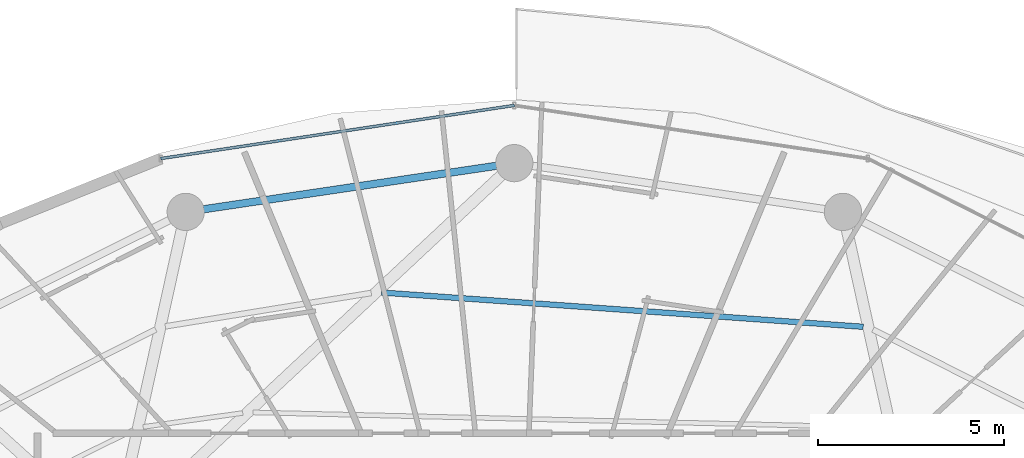
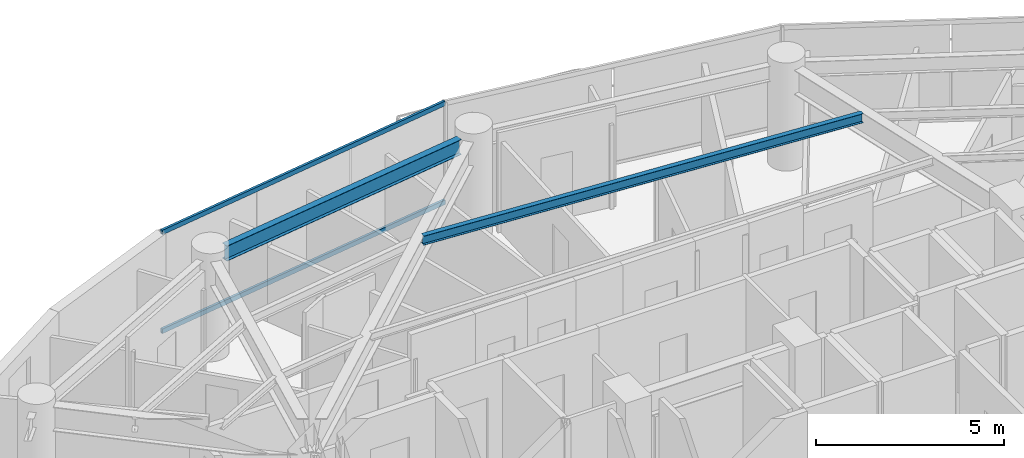
# One storey, part 16 of 28: 2 beams, 2 members, 1 element without a shape of its own.
"""IFC4 building model written with IfcOpenShell, lengths in metres."""

from ifc_helpers import new_model, si_unit, direction, frame, origin, origin_2d, place, context, subcontext, project, spatial, hollow_rectangle, i_section, extrude, material, material_profile, profile_set, type_object, element, aggregate, save


model = new_model("IFC4")

# Units and contexts
model_context = context("Model", 3, precision=1e-05, world=origin(), true_north=direction((0.0, 1.0)))
body_context = subcontext(model_context, "Body", "Model", "MODEL_VIEW")
ifc_project = project(units=[si_unit("LENGTHUNIT", "METRE"), si_unit("AREAUNIT", "SQUARE_METRE"), si_unit("VOLUMEUNIT", "CUBIC_METRE"), si_unit("PLANEANGLEUNIT", "RADIAN"), si_unit("MASSUNIT", "GRAM", prefix="KILO")], contexts=[model_context])

# Site, building, storey
site_placement = place(None, origin())
site = spatial("IfcSite", under=ifc_project, at=site_placement, CompositionType="ELEMENT")
building_placement = place(site_placement, origin())
building = spatial("IfcBuilding", under=site, at=building_placement, Name="Vorneva Point Tower", CompositionType="ELEMENT")
storey_placement = place(building_placement, frame((0.0, 0.0, 146.60009765625)))
storey = spatial("IfcBuildingStorey", under=building, at=storey_placement, Name="L39", CompositionType="ELEMENT", Elevation=146.60009765625)

# Beams
ifc_material_1 = material(Name="Steel S355", Category="steel")
ifc_material_profile_1 = material_profile(ifc_material_1, i_section(OverallWidth=0.14892578125, OverallDepth=0.298095703125, WebThickness=0.005615234375, FlangeThickness=0.008056640625, at=origin_2d()), Name="30B1")
ifc_profile_set_1 = profile_set([ifc_material_profile_1], Name="Steel S355")
beam_type_1 = type_object("IfcBeamType", Name="BM-JST-30B1", PredefinedType="JOIST", material=ifc_profile_set_1)
beam_1_placement = place(storey_placement, frame((47.3662109375, 38.806396484375, 3.0908203125), z_axis=(-0.997475780463, 0.071007516435, 0.0), x_axis=(-0.071007516435, -0.997475780463, 0.0)))
element("IfcBeam", 1, at=beam_1_placement, inside=storey, type_object=beam_type_1, Name="L39 Secondary Floor Beam 1.04", PredefinedType="JOIST", context=body_context, shape_type="SweptSolid", body=[
    extrude(i_section(OverallWidth=0.14892578125, OverallDepth=0.298095703125, WebThickness=0.005615234375, FlangeThickness=0.008056640625, at=origin_2d()), origin(), (0.0, 0.0, 1.0), 12.965576171875),
])
ifc_material_profile_2 = material_profile(ifc_material_1, i_section(OverallWidth=0.199951171875, OverallDepth=0.491943359375, WebThickness=0.0087890625, FlangeThickness=0.011962890625, at=origin_2d()), Name="50B1")
ifc_profile_set_2 = profile_set([ifc_material_profile_2], Name="Steel S355")
beam_type_2 = type_object("IfcBeamType", Name="BM-SPN-50B1", PredefinedType="SPANDREL", material=ifc_profile_set_2)
beam_2_placement = place(storey_placement, frame((37.520263671875, 43.12890625, 2.993896484375), z_axis=(-0.989161199046, -0.146833655211, 0.0), x_axis=(0.146833655211, -0.989161199046, 0.0)))
element("IfcBeam", 2, at=beam_2_placement, inside=storey, type_object=beam_type_2, Name="L39 Perimeter Spandrel Ring Beam 05", PredefinedType="SPANDREL", context=body_context, shape_type="SweptSolid", body=[
    extrude(i_section(OverallWidth=0.199951171875, OverallDepth=0.491943359375, WebThickness=0.0087890625, FlangeThickness=0.011962890625, at=origin_2d()), origin(), (0.0, 0.0, 1.0), 7.94775390625),
])

# Curtain wall, members
ifc_material_2 = material(Name="Pale anodised aluminium", Category="aluminium")
curtain_wall_type = type_object("IfcCurtainWallType", Name="CW-RES-SYS", PredefinedType="NOTDEFINED", material=ifc_material_2)
curtain_wall_placement = place(storey_placement, origin())
curtain_wall = element("IfcCurtainWall", 3, at=curtain_wall_placement, inside=storey, type_object=curtain_wall_type, Name="L39 Unitised Curtain Wall CW-L39-R01", PredefinedType="NOTDEFINED")
ifc_material_profile_3 = material_profile(ifc_material_2, hollow_rectangle(XDim=0.074951171875, YDim=0.14990234375, WallThickness=0.00390625, at=origin_2d()), Name="AL-TRN 150x75x4")
ifc_profile_set_3 = profile_set([ifc_material_profile_3], Name="Pale anodised aluminium")
member_type = type_object("IfcMemberType", Name="CW-TRN-150", PredefinedType="USERDEFINED", material=ifc_profile_set_3)
member_1_placement = place(storey_placement, frame((38.0, 44.75, 0.02001953125), z_axis=(-0.988880117727, -0.148714870687, 0.0), x_axis=(0.148714870687, -0.988880117727, 0.0)))
member_1 = element("IfcMember", 4, at=member_1_placement, type_object=member_type, Name="CW-L39-R01 Transom 04.1", ObjectType="TRANSOM", PredefinedType="USERDEFINED", context=body_context, shape_type="SweptSolid", body=[
    extrude(hollow_rectangle(XDim=0.074951171875, YDim=0.14990234375, WallThickness=0.00390625, at=origin_2d()), origin(), (0.0, 0.0, 1.0), 9.59716796875),
])
member_2_placement = place(storey_placement, frame((38.0, 44.75, 3.219970703125), z_axis=(-0.988880117727, -0.148714870687, 0.0), x_axis=(0.148714870687, -0.988880117727, 0.0)))
member_2 = element("IfcMember", 5, at=member_2_placement, type_object=member_type, Name="CW-L39-R01 Transom 04.2", ObjectType="TRANSOM", PredefinedType="USERDEFINED", context=body_context, shape_type="SweptSolid", body=[
    extrude(hollow_rectangle(XDim=0.074951171875, YDim=0.14990234375, WallThickness=0.00390625, at=origin_2d()), origin(), (0.0, 0.0, 1.0), 9.59716796875),
])
aggregate(curtain_wall, [member_1, member_2])

save(model, "model.ifc")
